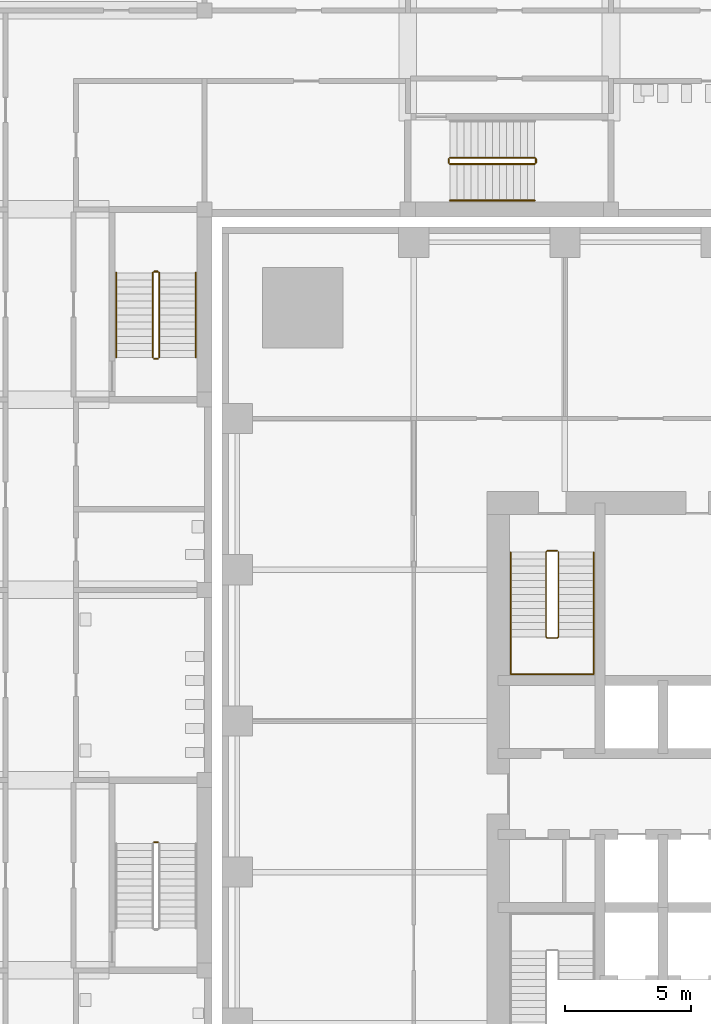
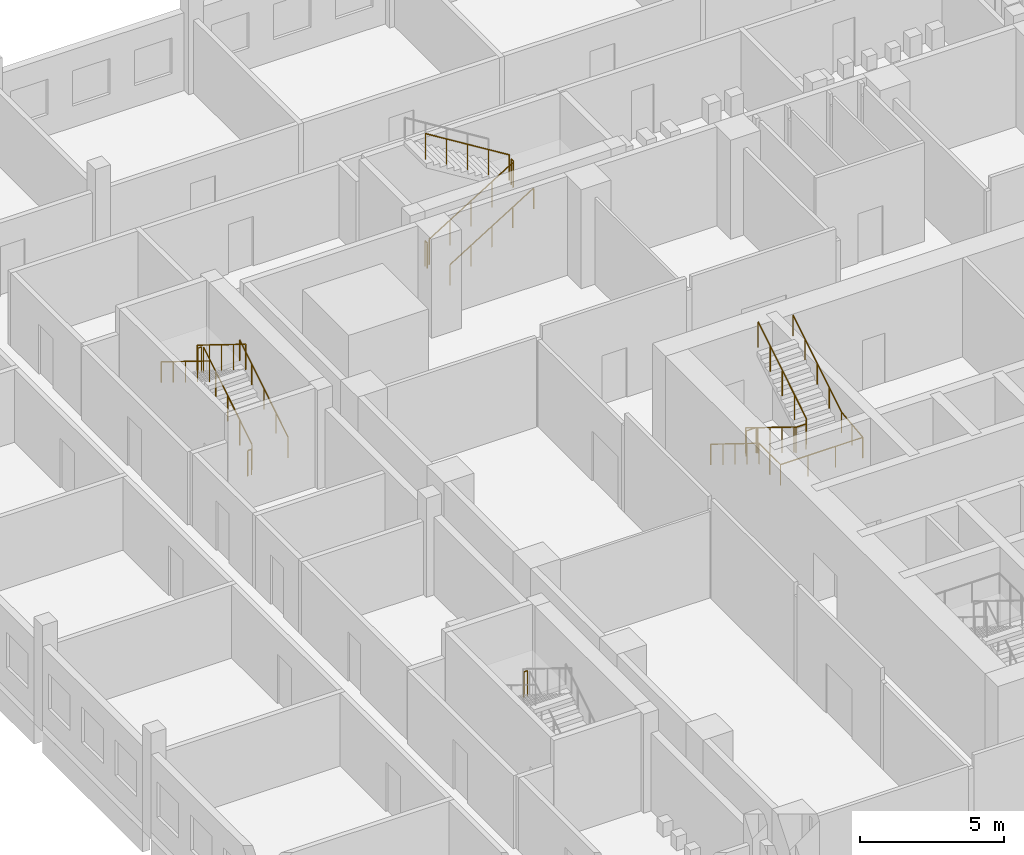
# One storey, part 22 of 25: 14 railings.
"""IFC4 building model written with IfcOpenShell, lengths in metres."""

from ifc_helpers import new_model, si_unit, direction, frame, origin, origin_2d, place, context, subcontext, project, spatial, circle, extrude, material, type_object, element, save


model = new_model("IFC4")

# Units and contexts
model_context = context("Model", 3, precision=1e-05, world=origin(), true_north=direction((0.0, 1.0)))
body_context = subcontext(model_context, "Body", "Model", "MODEL_VIEW")
ifc_project = project(units=[si_unit("LENGTHUNIT", "METRE"), si_unit("AREAUNIT", "SQUARE_METRE"), si_unit("VOLUMEUNIT", "CUBIC_METRE"), si_unit("PLANEANGLEUNIT", "RADIAN"), si_unit("MASSUNIT", "GRAM", prefix="KILO")], contexts=[model_context])

# Site, building, storey
site_placement = place(None, origin())
site = spatial("IfcSite", under=ifc_project, at=site_placement, CompositionType="ELEMENT")
building_placement = place(site_placement, origin())
building = spatial("IfcBuilding", under=site, at=building_placement, Name="Amberfall Residences", CompositionType="ELEMENT")
storey_placement = place(building_placement, frame((0.0, 0.0, 10.0)))
storey = spatial("IfcBuildingStorey", under=building, at=storey_placement, Name="L02", CompositionType="ELEMENT", Elevation=10.0)

# Railings
ifc_material_1 = material(Name="Stainless steel", Category="steel")
railing_type_1 = type_object("IfcRailingType", Name="School stair guard 1100", PredefinedType="GUARDRAIL", material=ifc_material_1)
railing_1_placement = place(storey_placement, frame((49.449951171875, 43.5849609375, 2.25)))
element("IfcRailing", 1, at=railing_1_placement, inside=storey, type_object=railing_type_1, Name="L02 SS2 stair guard 2", PredefinedType="GUARDRAIL", context=body_context, shape_type="SweptSolid", body=[
    extrude(circle(Radius=0.02392578125, at=origin_2d()), frame((0.0, 0.0, 1.076171875), z_axis=(-1.0, 0.0, 0.0), x_axis=(0.0, -1.0, 0.0)), (0.0, 0.0, 1.0), 0.14990234375),
    extrude(circle(Radius=0.02099609375, at=origin_2d()), origin(), (0.0, 0.0, 1.0), 1.052001953125),
    extrude(circle(Radius=0.02099609375, at=origin_2d()), frame((-0.14990234375, 0.0, 0.0)), (0.0, 0.0, 1.0), 1.052001953125),
])
railing_2_placement = place(storey_placement, frame((49.5, 62.824951171875, 0.173095703125)))
element("IfcRailing", 2, at=railing_2_placement, inside=storey, type_object=railing_type_1, Name="L02 SS3 stair guard 1", PredefinedType="GUARDRAIL", context=body_context, shape_type="SweptSolid", body=[
    extrude(circle(Radius=0.02392578125, at=origin_2d()), frame((0.0, 0.0, 1.076171875), z_axis=(0.0, 0.850623216509, 0.525775754039), x_axis=(-1.0, 0.0, 0.0)), (0.0, 0.0, 1.0), 3.9501953125),
    extrude(circle(Radius=0.02099609375, at=origin_2d()), origin(), (0.0, 0.0, 1.0), 1.052001953125),
    extrude(circle(Radius=0.02099609375, at=origin_2d()), frame((0.0, 0.840087890625, 0.519287109375)), (0.0, 0.0, 1.0), 1.052001953125),
    extrude(circle(Radius=0.02099609375, at=origin_2d()), frame((0.0, 1.68017578125, 1.03857421875)), (0.0, 0.0, 1.0), 1.052001953125),
    extrude(circle(Radius=0.02099609375, at=origin_2d()), frame((0.0, 2.52001953125, 1.5576171875)), (0.0, 0.0, 1.0), 1.052001953125),
    extrude(circle(Radius=0.02099609375, at=origin_2d()), frame((0.0, 3.360107421875, 2.076904296875)), (0.0, 0.0, 1.0), 1.052001953125),
])
railing_3_placement = place(storey_placement, frame((49.449951171875, 66.235107421875, 2.25)))
element("IfcRailing", 3, at=railing_3_placement, inside=storey, type_object=railing_type_1, Name="L02 SS3 stair guard 2", PredefinedType="GUARDRAIL", context=body_context, shape_type="SweptSolid", body=[
    extrude(circle(Radius=0.02392578125, at=origin_2d()), frame((0.0, 0.0, 1.076171875), z_axis=(-1.0, 0.0, 0.0), x_axis=(0.0, -1.0, 0.0)), (0.0, 0.0, 1.0), 0.14990234375),
    extrude(circle(Radius=0.02099609375, at=origin_2d()), origin(), (0.0, 0.0, 1.0), 1.052001953125),
    extrude(circle(Radius=0.02099609375, at=origin_2d()), frame((-0.14990234375, 0.0, 0.0)), (0.0, 0.0, 1.0), 1.052001953125),
])
railing_4_placement = place(storey_placement, frame((49.25, 66.18505859375, 2.423095703125)))
element("IfcRailing", 4, at=railing_4_placement, inside=storey, type_object=railing_type_1, Name="L02 SS3 stair guard 3", PredefinedType="GUARDRAIL", context=body_context, shape_type="SweptSolid", body=[
    extrude(circle(Radius=0.02392578125, at=origin_2d()), frame((0.0, 0.0, 1.076171875), z_axis=(0.0, -0.850623216509, 0.525775754039), x_axis=(1.0, 0.0, 0.0)), (0.0, 0.0, 1.0), 3.9501953125),
    extrude(circle(Radius=0.02099609375, at=origin_2d()), origin(), (0.0, 0.0, 1.0), 1.052001953125),
    extrude(circle(Radius=0.02099609375, at=origin_2d()), frame((0.0, -0.840087890625, 0.519287109375)), (0.0, 0.0, 1.0), 1.052001953125),
    extrude(circle(Radius=0.02099609375, at=origin_2d()), frame((0.0, -1.68017578125, 1.03857421875)), (0.0, 0.0, 1.0), 1.052001953125),
    extrude(circle(Radius=0.02099609375, at=origin_2d()), frame((0.0, -2.52001953125, 1.5576171875)), (0.0, 0.0, 1.0), 1.052001953125),
    extrude(circle(Radius=0.02099609375, at=origin_2d()), frame((0.0, -3.360107421875, 2.076904296875)), (0.0, 0.0, 1.0), 1.052001953125),
])
railing_5_placement = place(storey_placement, frame((49.449951171875, 62.77490234375, 0.0)))
element("IfcRailing", 5, at=railing_5_placement, inside=storey, type_object=railing_type_1, Name="L02 SS3 stair guard 4", PredefinedType="GUARDRAIL", context=body_context, shape_type="SweptSolid", body=[
    extrude(circle(Radius=0.02392578125, at=origin_2d()), frame((0.0, 0.0, 1.076171875), z_axis=(-1.0, 0.0, 0.0), x_axis=(0.0, -1.0, 0.0)), (0.0, 0.0, 1.0), 0.14990234375),
    extrude(circle(Radius=0.02099609375, at=origin_2d()), origin(), (0.0, 0.0, 1.0), 1.052001953125),
    extrude(circle(Radius=0.02099609375, at=origin_2d()), frame((-0.14990234375, 0.0, 0.0)), (0.0, 0.0, 1.0), 1.052001953125),
])
railing_6_placement = place(storey_placement, frame((61.0419921875, 70.5, 0.173095703125)))
element("IfcRailing", 6, at=railing_6_placement, inside=storey, type_object=railing_type_1, Name="L02 SS4 stair guard 1", PredefinedType="GUARDRAIL", context=body_context, shape_type="SweptSolid", body=[
    extrude(circle(Radius=0.02392578125, at=origin_2d()), frame((0.0, 0.0, 1.076171875), z_axis=(0.850623216509, 0.0, 0.525775754039), x_axis=(0.0, 1.0, 0.0)), (0.0, 0.0, 1.0), 3.9501953125),
    extrude(circle(Radius=0.02099609375, at=origin_2d()), origin(), (0.0, 0.0, 1.0), 1.052001953125),
    extrude(circle(Radius=0.02099609375, at=origin_2d()), frame((0.840087890625, 0.0, 0.519287109375)), (0.0, 0.0, 1.0), 1.052001953125),
    extrude(circle(Radius=0.02099609375, at=origin_2d()), frame((1.68017578125, 0.0, 1.03857421875)), (0.0, 0.0, 1.0), 1.052001953125),
    extrude(circle(Radius=0.02099609375, at=origin_2d()), frame((2.52001953125, 0.0, 1.5576171875)), (0.0, 0.0, 1.0), 1.052001953125),
    extrude(circle(Radius=0.02099609375, at=origin_2d()), frame((3.360107421875, 0.0, 2.076904296875)), (0.0, 0.0, 1.0), 1.052001953125),
])
railing_7_placement = place(storey_placement, frame((64.451904296875, 70.550048828125, 2.25)))
element("IfcRailing", 7, at=railing_7_placement, inside=storey, type_object=railing_type_1, Name="L02 SS4 stair guard 2", PredefinedType="GUARDRAIL", context=body_context, shape_type="SweptSolid", body=[
    extrude(circle(Radius=0.02392578125, at=origin_2d()), frame((0.0, 0.0, 1.076171875), z_axis=(0.0, 1.0, 0.0), x_axis=(-1.0, 0.0, 0.0)), (0.0, 0.0, 1.0), 0.14990234375),
    extrude(circle(Radius=0.02099609375, at=origin_2d()), origin(), (0.0, 0.0, 1.0), 1.052001953125),
    extrude(circle(Radius=0.02099609375, at=origin_2d()), frame((0.0, 0.14990234375, 0.0)), (0.0, 0.0, 1.0), 1.052001953125),
])
railing_8_placement = place(storey_placement, frame((64.402099609375, 70.75, 2.423095703125)))
element("IfcRailing", 8, at=railing_8_placement, inside=storey, type_object=railing_type_1, Name="L02 SS4 stair guard 3", PredefinedType="GUARDRAIL", context=body_context, shape_type="SweptSolid", body=[
    extrude(circle(Radius=0.02392578125, at=origin_2d()), frame((0.0, 0.0, 1.076171875), z_axis=(-0.850623216509, 0.0, 0.525775754039), x_axis=(0.0, -1.0, 0.0)), (0.0, 0.0, 1.0), 3.9501953125),
    extrude(circle(Radius=0.02099609375, at=origin_2d()), origin(), (0.0, 0.0, 1.0), 1.052001953125),
    extrude(circle(Radius=0.02099609375, at=origin_2d()), frame((-0.840087890625, 0.0, 0.519287109375)), (0.0, 0.0, 1.0), 1.052001953125),
    extrude(circle(Radius=0.02099609375, at=origin_2d()), frame((-1.68017578125, 0.0, 1.03857421875)), (0.0, 0.0, 1.0), 1.052001953125),
    extrude(circle(Radius=0.02099609375, at=origin_2d()), frame((-2.52001953125, 0.0, 1.5576171875)), (0.0, 0.0, 1.0), 1.052001953125),
    extrude(circle(Radius=0.02099609375, at=origin_2d()), frame((-3.360107421875, 0.0, 2.076904296875)), (0.0, 0.0, 1.0), 1.052001953125),
])
railing_9_placement = place(storey_placement, frame((60.991943359375, 70.550048828125, 0.0)))
element("IfcRailing", 9, at=railing_9_placement, inside=storey, type_object=railing_type_1, Name="L02 SS4 stair guard 4", PredefinedType="GUARDRAIL", context=body_context, shape_type="SweptSolid", body=[
    extrude(circle(Radius=0.02392578125, at=origin_2d()), frame((0.0, 0.0, 1.076171875), z_axis=(0.0, 1.0, 0.0), x_axis=(-1.0, 0.0, 0.0)), (0.0, 0.0, 1.0), 0.14990234375),
    extrude(circle(Radius=0.02099609375, at=origin_2d()), origin(), (0.0, 0.0, 1.0), 1.052001953125),
    extrude(circle(Radius=0.02099609375, at=origin_2d()), frame((0.0, 0.14990234375, 0.0)), (0.0, 0.0, 1.0), 1.052001953125),
])
railing_type_2 = type_object("IfcRailingType", Name="School stair handrail", PredefinedType="HANDRAIL", material=ifc_material_1)
railing_10_placement = place(storey_placement, frame((50.949951171875, 62.824951171875, 0.173095703125)))
element("IfcRailing", 10, at=railing_10_placement, inside=storey, type_object=railing_type_2, Name="L02 SS3 stair handrail 1", PredefinedType="HANDRAIL", context=body_context, shape_type="SweptSolid", body=[
    extrude(circle(Radius=0.02392578125, at=origin_2d()), frame((0.0, 0.0, 0.8759765625), z_axis=(0.0, 0.850623216509, 0.525775754039), x_axis=(-1.0, 0.0, 0.0)), (0.0, 0.0, 1.0), 3.9501953125),
    extrude(circle(Radius=0.02099609375, at=origin_2d()), origin(), (0.0, 0.0, 1.0), 0.851806640625),
    extrude(circle(Radius=0.02099609375, at=origin_2d()), frame((0.0, 0.840087890625, 0.519287109375)), (0.0, 0.0, 1.0), 0.851806640625),
    extrude(circle(Radius=0.02099609375, at=origin_2d()), frame((0.0, 1.68017578125, 1.03857421875)), (0.0, 0.0, 1.0), 0.851806640625),
    extrude(circle(Radius=0.02099609375, at=origin_2d()), frame((0.0, 2.52001953125, 1.5576171875)), (0.0, 0.0, 1.0), 0.851806640625),
    extrude(circle(Radius=0.02099609375, at=origin_2d()), frame((0.0, 3.360107421875, 2.076904296875)), (0.0, 0.0, 1.0), 0.851806640625),
])
railing_11_placement = place(storey_placement, frame((47.800048828125, 66.18505859375, 2.423095703125)))
element("IfcRailing", 11, at=railing_11_placement, inside=storey, type_object=railing_type_2, Name="L02 SS3 stair handrail 2", PredefinedType="HANDRAIL", context=body_context, shape_type="SweptSolid", body=[
    extrude(circle(Radius=0.02392578125, at=origin_2d()), frame((0.0, 0.0, 0.8759765625), z_axis=(0.0, -0.850623216509, 0.525775754039), x_axis=(1.0, 0.0, 0.0)), (0.0, 0.0, 1.0), 3.9501953125),
    extrude(circle(Radius=0.02099609375, at=origin_2d()), origin(), (0.0, 0.0, 1.0), 0.851806640625),
    extrude(circle(Radius=0.02099609375, at=origin_2d()), frame((0.0, -0.840087890625, 0.519287109375)), (0.0, 0.0, 1.0), 0.851806640625),
    extrude(circle(Radius=0.02099609375, at=origin_2d()), frame((0.0, -1.68017578125, 1.03857421875)), (0.0, 0.0, 1.0), 0.851806640625),
    extrude(circle(Radius=0.02099609375, at=origin_2d()), frame((0.0, -2.52001953125, 1.5576171875)), (0.0, 0.0, 1.0), 0.851806640625),
    extrude(circle(Radius=0.02099609375, at=origin_2d()), frame((0.0, -3.360107421875, 2.076904296875)), (0.0, 0.0, 1.0), 0.851806640625),
])
railing_12_placement = place(storey_placement, frame((61.0419921875, 69.050048828125, 0.173095703125)))
element("IfcRailing", 12, at=railing_12_placement, inside=storey, type_object=railing_type_2, Name="L02 SS4 stair handrail 1", PredefinedType="HANDRAIL", context=body_context, shape_type="SweptSolid", body=[
    extrude(circle(Radius=0.02392578125, at=origin_2d()), frame((0.0, 0.0, 0.8759765625), z_axis=(0.850623216509, 0.0, 0.525775754039), x_axis=(0.0, 1.0, 0.0)), (0.0, 0.0, 1.0), 3.9501953125),
    extrude(circle(Radius=0.02099609375, at=origin_2d()), origin(), (0.0, 0.0, 1.0), 0.851806640625),
    extrude(circle(Radius=0.02099609375, at=origin_2d()), frame((0.840087890625, 0.0, 0.519287109375)), (0.0, 0.0, 1.0), 0.851806640625),
    extrude(circle(Radius=0.02099609375, at=origin_2d()), frame((1.68017578125, 0.0, 1.03857421875)), (0.0, 0.0, 1.0), 0.851806640625),
    extrude(circle(Radius=0.02099609375, at=origin_2d()), frame((2.52001953125, 0.0, 1.5576171875)), (0.0, 0.0, 1.0), 0.851806640625),
    extrude(circle(Radius=0.02099609375, at=origin_2d()), frame((3.360107421875, 0.0, 2.076904296875)), (0.0, 0.0, 1.0), 0.851806640625),
])
ifc_material_2 = material(Name="Stainless steel 316", Category="steel")
railing_type_3 = type_object("IfcRailingType", Name="Stair guard 1100", PredefinedType="GUARDRAIL", material=ifc_material_2)
railing_13_placement = place(storey_placement, frame((65.300048828125, 55.14990234375, 0.0)))
element("IfcRailing", 13, at=railing_13_placement, inside=storey, type_object=railing_type_3, Name="L02 stair 4 guard", PredefinedType="GUARDRAIL", context=body_context, shape_type="SweptSolid", body=[
    extrude(circle(Radius=0.02392578125, at=origin_2d()), frame((0.0, 0.0, 1.076171875), z_axis=(-1.0, 0.0, 0.0), x_axis=(0.0, -1.0, 0.0)), (0.0, 0.0, 1.0), 0.400146484375),
    extrude(circle(Radius=0.02392578125, at=origin_2d()), frame((-0.400146484375, 0.0, 1.076171875), z_axis=(-0.26651005591, -0.26651005591, 0.926253086471), x_axis=(0.707106781187, -0.707106781187, 0.0)), (0.0, 0.0, 1.0), 0.186767578125),
    extrude(circle(Radius=0.02392578125, at=origin_2d()), frame((-0.449951171875, -0.0498046875, 1.2490234375), z_axis=(0.0, -0.850623216509, 0.525775754039), x_axis=(1.0, 0.0, 0.0)), (0.0, 0.0, 1.0), 3.9501953125),
    extrude(circle(Radius=0.02392578125, at=origin_2d()), frame((-0.449951171875, -3.409912109375, 3.326171875), z_axis=(0.705375805398, -0.708833529934, 0.0), x_axis=(0.708833529934, 0.705375805398, 0.0)), (0.0, 0.0, 1.0), 0.070556640625),
    extrude(circle(Radius=0.02392578125, at=origin_2d()), frame((-0.400146484375, -3.4599609375, 3.326171875), z_axis=(1.0, 0.0, 0.0), x_axis=(0.0, 1.0, 0.0)), (0.0, 0.0, 1.0), 0.400146484375),
    extrude(circle(Radius=0.02392578125, at=origin_2d()), frame((0.0, -3.4599609375, 3.326171875), z_axis=(0.267629722418, 0.267629722418, 0.925607186314), x_axis=(-0.707106781187, 0.707106781187, 0.0)), (0.0, 0.0, 1.0), 0.18701171875),
    extrude(circle(Radius=0.02392578125, at=origin_2d()), frame((0.050048828125, -3.409912109375, 3.4990234375), z_axis=(0.0, 0.850623216509, 0.525775754039), x_axis=(-1.0, 0.0, 0.0)), (0.0, 0.0, 1.0), 3.9501953125),
    extrude(circle(Radius=0.02099609375, at=origin_2d()), origin(), (0.0, 0.0, 1.0), 1.052001953125),
    extrude(circle(Radius=0.02099609375, at=origin_2d()), frame((-0.400146484375, 0.0, 0.0)), (0.0, 0.0, 1.0), 1.052001953125),
    extrude(circle(Radius=0.02099609375, at=origin_2d()), frame((-0.449951171875, -0.0498046875, 0.173095703125)), (0.0, 0.0, 1.0), 1.052001953125),
    extrude(circle(Radius=0.02099609375, at=origin_2d()), frame((-0.449951171875, -0.889892578125, 0.6923828125)), (0.0, 0.0, 1.0), 1.052001953125),
    extrude(circle(Radius=0.02099609375, at=origin_2d()), frame((-0.449951171875, -1.72998046875, 1.21142578125)), (0.0, 0.0, 1.0), 1.052001953125),
    extrude(circle(Radius=0.02099609375, at=origin_2d()), frame((-0.449951171875, -2.56982421875, 1.730712890625)), (0.0, 0.0, 1.0), 1.052001953125),
    extrude(circle(Radius=0.02099609375, at=origin_2d()), frame((-0.449951171875, -3.409912109375, 2.25)), (0.0, 0.0, 1.0), 1.052001953125),
    extrude(circle(Radius=0.02099609375, at=origin_2d()), frame((-0.400146484375, -3.4599609375, 2.25)), (0.0, 0.0, 1.0), 1.052001953125),
    extrude(circle(Radius=0.02099609375, at=origin_2d()), frame((0.0, -3.4599609375, 2.25)), (0.0, 0.0, 1.0), 1.052001953125),
    extrude(circle(Radius=0.02099609375, at=origin_2d()), frame((0.050048828125, -3.409912109375, 2.423095703125)), (0.0, 0.0, 1.0), 1.052001953125),
    extrude(circle(Radius=0.02099609375, at=origin_2d()), frame((0.050048828125, -2.56982421875, 2.9423828125)), (0.0, 0.0, 1.0), 1.052001953125),
    extrude(circle(Radius=0.02099609375, at=origin_2d()), frame((0.050048828125, -1.72998046875, 3.46142578125)), (0.0, 0.0, 1.0), 1.052001953125),
    extrude(circle(Radius=0.02099609375, at=origin_2d()), frame((0.050048828125, -0.889892578125, 3.980712890625)), (0.0, 0.0, 1.0), 1.052001953125),
    extrude(circle(Radius=0.02099609375, at=origin_2d()), frame((0.050048828125, -0.0498046875, 4.5)), (0.0, 0.0, 1.0), 1.052001953125),
])
railing_type_4 = type_object("IfcRailingType", Name="Stair handrail 900", PredefinedType="HANDRAIL", material=ifc_material_2)
railing_14_placement = place(storey_placement, frame((63.449951171875, 55.10009765625, 0.173095703125)))
element("IfcRailing", 14, at=railing_14_placement, inside=storey, type_object=railing_type_4, Name="L02 stair 4 handrail", PredefinedType="HANDRAIL", context=body_context, shape_type="SweptSolid", body=[
    extrude(circle(Radius=0.02392578125, at=origin_2d()), frame((0.0, 0.0, 0.8759765625), z_axis=(0.0, -0.850623216509, 0.525775754039), x_axis=(1.0, 0.0, 0.0)), (0.0, 0.0, 1.0), 3.9501953125),
    extrude(circle(Radius=0.02392578125, at=origin_2d()), frame((0.0, -3.360107421875, 2.95263671875), z_axis=(0.0, -1.0, 0.0), x_axis=(1.0, 0.0, 0.0)), (0.0, 0.0, 1.0), 1.489990234375),
    extrude(circle(Radius=0.02392578125, at=origin_2d()), frame((0.0, -4.85009765625, 2.95263671875), z_axis=(1.0, 0.0, 0.0), x_axis=(0.0, 1.0, 0.0)), (0.0, 0.0, 1.0), 3.300048828125),
    extrude(circle(Radius=0.02392578125, at=origin_2d()), frame((3.300048828125, -4.85009765625, 2.95263671875), z_axis=(0.0, 0.993319533971, 0.115396288642), x_axis=(-1.0, 0.0, 0.0)), (0.0, 0.0, 1.0), 1.5),
    extrude(circle(Radius=0.02392578125, at=origin_2d()), frame((3.300048828125, -3.360107421875, 3.1259765625), z_axis=(0.0, 0.850623216509, 0.525775754039), x_axis=(-1.0, 0.0, 0.0)), (0.0, 0.0, 1.0), 3.9501953125),
    extrude(circle(Radius=0.02099609375, at=origin_2d()), origin(), (0.0, 0.0, 1.0), 0.851806640625),
    extrude(circle(Radius=0.02099609375, at=origin_2d()), frame((0.0, -0.840087890625, 0.519287109375)), (0.0, 0.0, 1.0), 0.851806640625),
    extrude(circle(Radius=0.02099609375, at=origin_2d()), frame((0.0, -1.68017578125, 1.03857421875)), (0.0, 0.0, 1.0), 0.851806640625),
    extrude(circle(Radius=0.02099609375, at=origin_2d()), frame((0.0, -2.52001953125, 1.5576171875)), (0.0, 0.0, 1.0), 0.851806640625),
    extrude(circle(Radius=0.02099609375, at=origin_2d()), frame((0.0, -3.360107421875, 2.076904296875)), (0.0, 0.0, 1.0), 0.851806640625),
    extrude(circle(Radius=0.02099609375, at=origin_2d()), frame((0.0, -4.10498046875, 2.076904296875)), (0.0, 0.0, 1.0), 0.851806640625),
    extrude(circle(Radius=0.02099609375, at=origin_2d()), frame((0.0, -4.85009765625, 2.076904296875)), (0.0, 0.0, 1.0), 0.851806640625),
    extrude(circle(Radius=0.02099609375, at=origin_2d()), frame((1.10009765625, -4.85009765625, 2.076904296875)), (0.0, 0.0, 1.0), 0.851806640625),
    extrude(circle(Radius=0.02099609375, at=origin_2d()), frame((2.199951171875, -4.85009765625, 2.076904296875)), (0.0, 0.0, 1.0), 0.851806640625),
    extrude(circle(Radius=0.02099609375, at=origin_2d()), frame((3.300048828125, -4.85009765625, 2.076904296875)), (0.0, 0.0, 1.0), 0.851806640625),
    extrude(circle(Radius=0.02099609375, at=origin_2d()), frame((3.300048828125, -4.10498046875, 2.16357421875)), (0.0, 0.0, 1.0), 0.851806640625),
    extrude(circle(Radius=0.02099609375, at=origin_2d()), frame((3.300048828125, -3.360107421875, 2.25)), (0.0, 0.0, 1.0), 0.851806640625),
    extrude(circle(Radius=0.02099609375, at=origin_2d()), frame((3.300048828125, -2.52001953125, 2.769287109375)), (0.0, 0.0, 1.0), 0.851806640625),
    extrude(circle(Radius=0.02099609375, at=origin_2d()), frame((3.300048828125, -1.68017578125, 3.28857421875)), (0.0, 0.0, 1.0), 0.851806640625),
    extrude(circle(Radius=0.02099609375, at=origin_2d()), frame((3.300048828125, -0.840087890625, 3.8076171875)), (0.0, 0.0, 1.0), 0.851806640625),
    extrude(circle(Radius=0.02099609375, at=origin_2d()), frame((3.300048828125, 0.0, 4.326904296875)), (0.0, 0.0, 1.0), 0.851806640625),
])

save(model, "model.ifc")
